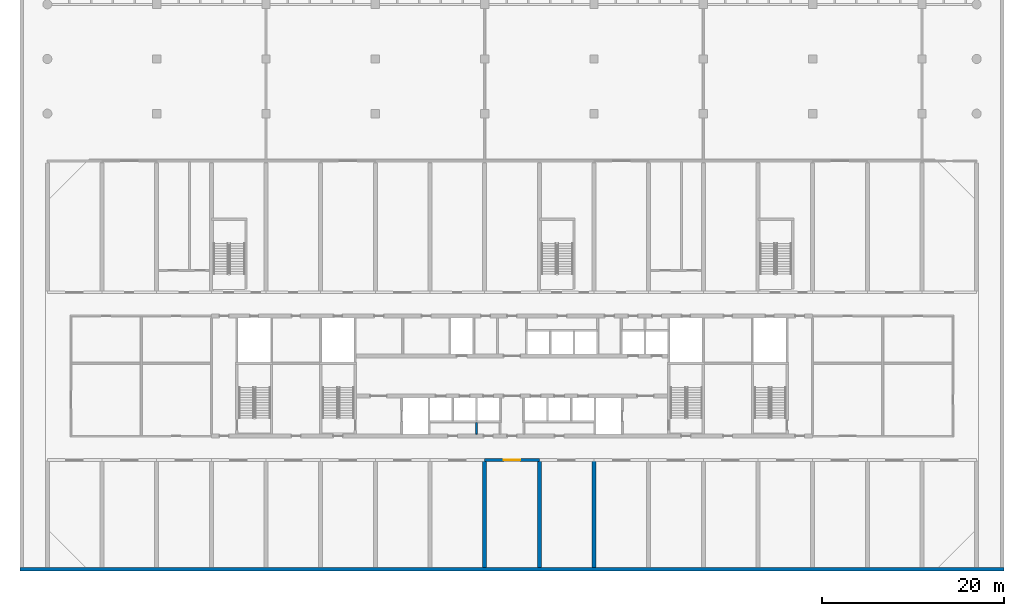
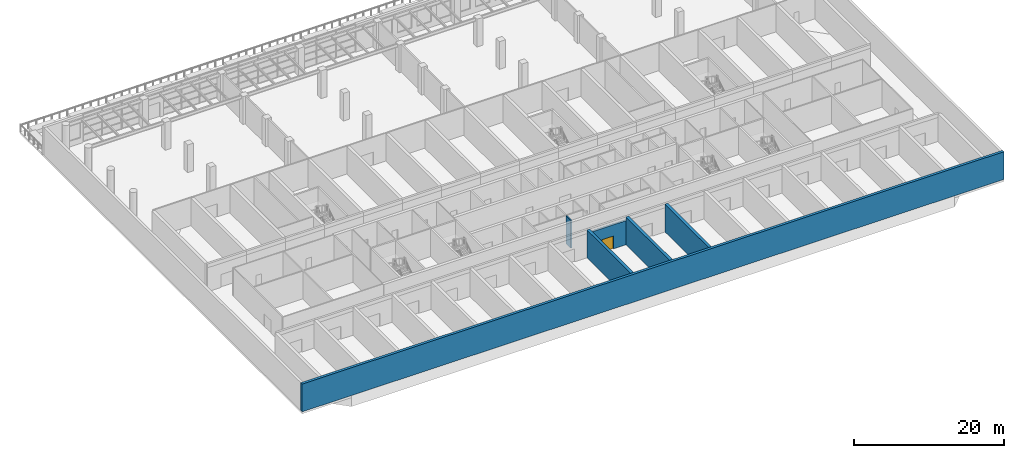
# One storey, part 7 of 20: 6 walls, 1 door, 1 opening.
"""IFC4 building model written with IfcOpenShell, lengths in metres."""

from ifc_helpers import new_model, si_unit, direction, frame, frame_2d, origin, place, context, subcontext, project, spatial, rectangle, extrude, material, layer, layer_set, type_object, element, fill, save


model = new_model("IFC4")

# Units and contexts
model_context = context("Model", 3, precision=1e-05, world=origin(), true_north=direction((0.0, 1.0)))
body_context = subcontext(model_context, "Body", "Model", "MODEL_VIEW")
ifc_project = project(units=[si_unit("LENGTHUNIT", "METRE"), si_unit("AREAUNIT", "SQUARE_METRE"), si_unit("VOLUMEUNIT", "CUBIC_METRE"), si_unit("PLANEANGLEUNIT", "RADIAN"), si_unit("MASSUNIT", "GRAM", prefix="KILO")], contexts=[model_context])

# Site, building, storey
site_placement = place(None, origin())
site = spatial("IfcSite", under=ifc_project, at=site_placement, CompositionType="ELEMENT")
building_placement = place(site_placement, origin())
building = spatial("IfcBuilding", under=site, at=building_placement, Name="Poui Terraces", CompositionType="ELEMENT")
storey_placement = place(building_placement, frame((0.0, 0.0, 6.0)))
storey = spatial("IfcBuildingStorey", under=building, at=storey_placement, Name="L01", CompositionType="ELEMENT", Elevation=6.0)

# Wall
ifc_material_1 = material(Name="Fire-rated masonry wall", Category="masonry")
ifc_layer_1 = layer(ifc_material_1, 0.199951171875)
ifc_layer_set_1 = layer_set([ifc_layer_1], Name="Fire-rated masonry wall")
wall_type_1 = type_object("IfcWallType", Name="COMPARTMENT WALL 200", PredefinedType="PARTITIONING", material=ifc_layer_set_1)
wall_1_placement = place(storey_placement, frame((47.10009765625, 14.8349609375, 0.0), z_axis=(0.0, 0.0, 1.0), x_axis=(0.0, 1.0, 0.0)))
element("IfcWall", 1, at=wall_1_placement, inside=storey, type_object=wall_type_1, Name="COMPARTMENT WALL 200", PredefinedType="PARTITIONING", context=body_context, shape_type="SweptSolid", body=[
    extrude(rectangle(XDim=1.26513671875, YDim=0.199951171875, at=frame_2d((0.632568359375, 0.0))), origin(), (0.0, 0.0, 1.0), 4.52001953125),
])

# Wall, opening, door
ifc_material_2 = material(Name="Concrete 80 MPa", Category="concrete")
ifc_layer_2 = layer(ifc_material_2, 0.300048828125)
ifc_layer_set_2 = layer_set([ifc_layer_2], Name="Concrete 80 MPa")
wall_type_2 = type_object("IfcWallType", Name="CORRIDOR WALL 300 80MPa", PredefinedType="SHEAR", material=ifc_layer_set_2)
wall_2_placement = place(storey_placement, frame((48.0, 12.0, 0.0), z_axis=(0.0, 0.0, 1.0), x_axis=(1.0, 0.0, 0.0)))
wall_2 = element("IfcWall", 2, at=wall_2_placement, inside=storey, type_object=wall_type_2, Name="CORRIDOR WALL LINE B BAY 9", PredefinedType="SHEAR", context=body_context, shape_type="SweptSolid", body=[
    extrude(rectangle(XDim=6.0, YDim=0.300048828125, at=frame_2d((3.0, 0.0))), origin(), (0.0, 0.0, 1.0), 3.919921875),
])
opening_placement = place(wall_2_placement, frame((2.10009765625, 0.0, 0.0)))
opening = element("IfcOpeningElement", 3, at=opening_placement, cuts=wall_2, Name="Opening DD180", PredefinedType="OPENING", context=body_context, shape_type="SweptSolid", body=[
    extrude(rectangle(XDim=1.800048828125, YDim=2.10009765625, at=frame_2d((0.89990234375, 1.050048828125))), frame((0.0, 0.16015625, 0.0), z_axis=(0.0, -1.0, 0.0), x_axis=(1.0, 0.0, 0.0)), (0.0, 0.0, 1.0), 0.320068359375),
])
ifc_material_3 = material(Name="Steel fire door", Category="steel")
door_type = type_object("IfcDoorType", Name="DOUBLE INTERNAL DOOR 1800 X 2100", OperationType="DOUBLE_DOOR_SINGLE_SWING", PredefinedType="DOOR", material=ifc_material_3)
door_placement = place(opening_placement, origin())
door = element("IfcDoor", 4, at=door_placement, inside=storey, type_object=door_type, Name="DOUBLE INTERNAL DOOR 056", OperationType="DOUBLE_DOOR_SINGLE_SWING", OverallHeight=2.10009765625, OverallWidth=1.800048828125, PredefinedType="DOOR", context=body_context, shape_type="SweptSolid", body=[
    extrude(rectangle(XDim=1.800048828125, YDim=2.10009765625, at=frame_2d((0.89990234375, 1.050048828125))), frame((0.0, 0.02490234375, 0.0), z_axis=(0.0, -1.0, 0.0), x_axis=(1.0, 0.0, 0.0)), (0.0, 0.0, 1.0), 0.050048828125),
])
fill(opening, door)

# Walls
ifc_layer_3 = layer(ifc_material_2, 0.449951171875)
ifc_layer_set_3 = layer_set([ifc_layer_3], Name="Concrete 80 MPa")
wall_type_3 = type_object("IfcWallType", Name="CROSS WALL 450 80MPa", PredefinedType="SHEAR", material=ifc_layer_set_3)
for number, where, z_axis, x_axis, name in (
    (5, (48.0, 0.199951171875, 0.0), (0.0, 0.0, 1.0), (0.0, 1.0, 0.0), "CROSS WALL LINE 9 SOUTH"),
    (6, (54.0, 0.199951171875, 0.0), (0.0, 0.0, 1.0), (0.0, 1.0, 0.0), "CROSS WALL LINE 10 SOUTH"),
    (7, (60.0, 0.199951171875, 0.0), (0.0, 0.0, 1.0), (0.0, 1.0, 0.0), "CROSS WALL LINE 11 SOUTH"),
):
    element("IfcWall", number, at=place(storey_placement, frame(where, z_axis=z_axis, x_axis=x_axis)), inside=storey, type_object=wall_type_3, Name=name, PredefinedType="SHEAR", context=body_context, shape_type="SweptSolid", body=[
        extrude(rectangle(XDim=11.650146484375, YDim=0.449951171875, at=frame_2d((5.8251953125, 0.0))), origin(), (0.0, 0.0, 1.0), 4.52001953125),
    ])
ifc_material_4 = material(Name="Precast concrete 40 MPa", Category="concrete")
ifc_layer_4 = layer(ifc_material_4, 0.39990234375)
ifc_layer_set_4 = layer_set([ifc_layer_4], Name="Precast concrete 40 MPa")
wall_type_4 = type_object("IfcWallType", Name="EXTERNAL WALL 400", PredefinedType="STANDARD", material=ifc_layer_set_4)
wall_3_placement = place(storey_placement, frame((-3.0, 0.0, 0.0), z_axis=(0.0, 0.0, 1.0), x_axis=(1.0, 0.0, 0.0)))
element("IfcWall", 8, at=wall_3_placement, inside=storey, type_object=wall_type_4, Name="EXTERNAL WALL S", PredefinedType="STANDARD", context=body_context, shape_type="SweptSolid", body=[
    extrude(rectangle(XDim=108.0, YDim=0.39990234375, at=frame_2d((54.0, 0.0))), origin(), (0.0, 0.0, 1.0), 4.52001953125),
])

save(model, "model.ifc")
